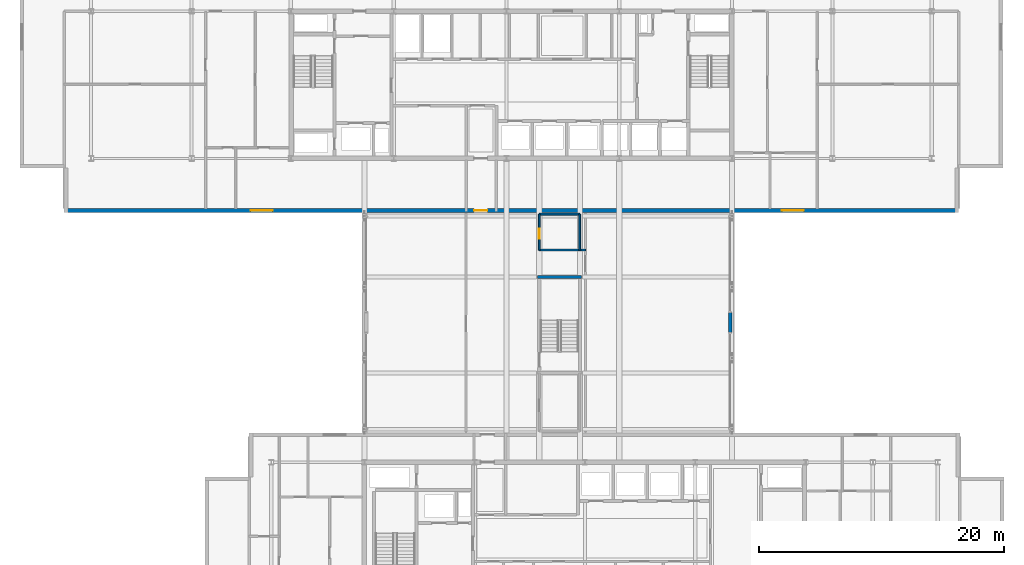
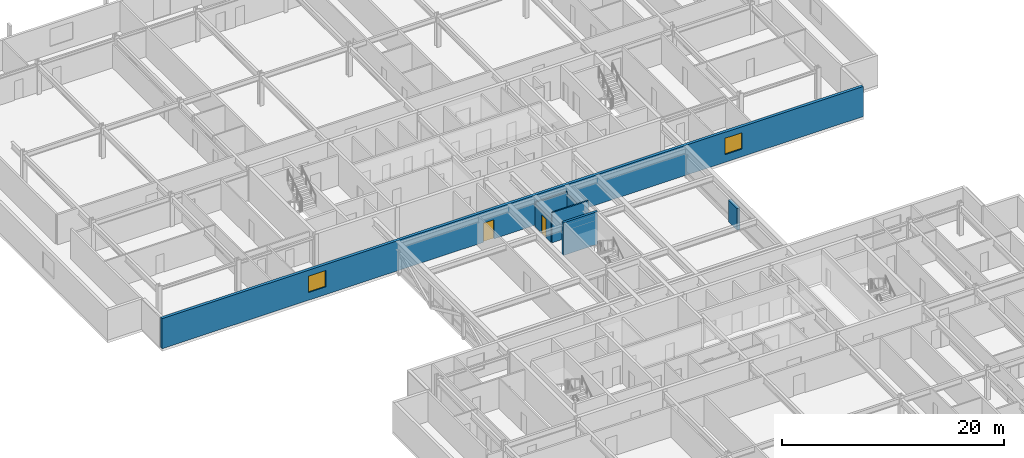
# One storey, part 21 of 35: 7 walls, 2 doors, 2 windows, 4 openings.
"""IFC4 building model written with IfcOpenShell, lengths in metres."""

from ifc_helpers import new_model, si_unit, direction, frame, frame_2d, origin, place, context, subcontext, project, spatial, rectangle, extrude, material, layer, layer_set, type_object, element, fill, save


model = new_model("IFC4")

# Units and contexts
model_context = context("Model", 3, precision=1e-05, world=origin(), true_north=direction((0.0, 1.0)))
body_context = subcontext(model_context, "Body", "Model", "MODEL_VIEW")
ifc_project = project(units=[si_unit("LENGTHUNIT", "METRE"), si_unit("AREAUNIT", "SQUARE_METRE"), si_unit("VOLUMEUNIT", "CUBIC_METRE"), si_unit("PLANEANGLEUNIT", "RADIAN"), si_unit("MASSUNIT", "GRAM", prefix="KILO")], contexts=[model_context])

# Site, building, storey
site_placement = place(None, origin())
site = spatial("IfcSite", under=ifc_project, at=site_placement, CompositionType="ELEMENT")
building_placement = place(site_placement, origin())
building = spatial("IfcBuilding", under=site, at=building_placement, Name="Korimba Cascade Residences", CompositionType="ELEMENT")
storey_placement = place(building_placement, frame((0.0, 0.0, 150.10009765625)))
storey = spatial("IfcBuildingStorey", under=building, at=storey_placement, Name="L43", CompositionType="ELEMENT", Elevation=150.10009765625)

# Wall, openings, door, windows
ifc_material_1 = material(Name="Precast concrete C40/50", Category="concrete")
ifc_layer_1 = layer(ifc_material_1, 0.300048828125)
ifc_layer_set_1 = layer_set([ifc_layer_1], Name="Precast concrete C40/50")
wall_type_1 = type_object("IfcWallType", Name="EW-STONE-300", PredefinedType="STANDARD", material=ifc_layer_set_1)
wall_1_placement = place(storey_placement, frame((57.60009765625, 50.949951171875, 0.0), z_axis=(0.0, 0.0, 1.0), x_axis=(1.0, 0.0, 0.0)))
wall_1 = element("IfcWall", 1, at=wall_1_placement, inside=storey, type_object=wall_type_1, Name="L43 T1 Perimeter Stone Wall E00", PredefinedType="STANDARD", context=body_context, shape_type="SweptSolid", body=[
    extrude(rectangle(XDim=73.0, YDim=0.300048828125, at=frame_2d((36.5, 0.0))), origin(), (0.0, 0.0, 1.0), 3.309814453125),
])
opening_1_placement = place(wall_1_placement, frame((15.22509765625, 0.0, 0.85009765625)))
opening_1 = element("IfcOpeningElement", 2, at=opening_1_placement, cuts=wall_1, Name="Opening W-02", PredefinedType="OPENING", context=body_context, shape_type="SweptSolid", body=[
    extrude(rectangle(XDim=1.800048828125, YDim=1.800048828125, at=frame_2d((0.89990234375, 0.89990234375))), frame((0.0, 0.16015625, 0.0), z_axis=(0.0, -1.0, 0.0), x_axis=(1.0, 0.0, 0.0)), (0.0, 0.0, 1.0), 0.320068359375),
])
opening_2_placement = place(wall_1_placement, frame((58.574951171875, 0.0, 0.85009765625)))
opening_2 = element("IfcOpeningElement", 3, at=opening_2_placement, cuts=wall_1, Name="Opening W-02", PredefinedType="OPENING", context=body_context, shape_type="SweptSolid", body=[
    extrude(rectangle(XDim=1.800048828125, YDim=1.800048828125, at=frame_2d((0.89990234375, 0.89990234375))), frame((0.0, 0.16015625, 0.0), z_axis=(0.0, -1.0, 0.0), x_axis=(1.0, 0.0, 0.0)), (0.0, 0.0, 1.0), 0.320068359375),
])
opening_3_placement = place(wall_1_placement, frame((33.449951171875, 0.0, 0.0)))
opening_3 = element("IfcOpeningElement", 4, at=opening_3_placement, cuts=wall_1, Name="Opening D-BF1", PredefinedType="OPENING", context=body_context, shape_type="SweptSolid", body=[
    extrude(rectangle(XDim=1.10009765625, YDim=2.10009765625, at=frame_2d((0.550048828125, 1.050048828125))), frame((0.0, 0.16015625, 0.0), z_axis=(0.0, -1.0, 0.0), x_axis=(1.0, 0.0, 0.0)), (0.0, 0.0, 1.0), 0.320068359375),
])
ifc_material_2 = material(Name="Fire-Rated Steel Skybridge Link Door", Category="steel")
door_type_1 = type_object("IfcDoorType", Name="DR-BRG-FD120", OperationType="NOTDEFINED", PredefinedType="DOOR", material=ifc_material_2)
door_1_placement = place(opening_3_placement, origin())
door_1 = element("IfcDoor", 5, at=door_1_placement, inside=storey, type_object=door_type_1, Name="L43 Skybridge to Tower 1 Fire Door", OperationType="SINGLE_SWING_LEFT", OverallHeight=2.10009765625, OverallWidth=1.10009765625, PredefinedType="DOOR", context=body_context, shape_type="SweptSolid", body=[
    extrude(rectangle(XDim=1.10009765625, YDim=2.10009765625, at=frame_2d((0.550048828125, 1.050048828125))), frame((0.0, 0.02490234375, 0.0), z_axis=(0.0, -1.0, 0.0), x_axis=(1.0, 0.0, 0.0)), (0.0, 0.0, 1.0), 0.050048828125),
])
fill(opening_3, door_1)
ifc_material_3 = material(Name="Double-Glazed Aluminium Window", Category="aluminium")
window_type = type_object("IfcWindowType", Name="WIN-BED-1800", PartitioningType="SINGLE_PANEL", PredefinedType="WINDOW", material=ifc_material_3)
window_1_placement = place(opening_1_placement, origin())
window_1 = element("IfcWindow", 6, at=window_1_placement, inside=storey, type_object=window_type, Name="L43 T1 South Corner Bedroom Window 1", OverallHeight=1.800048828125, OverallWidth=1.800048828125, PartitioningType="SINGLE_PANEL", PredefinedType="WINDOW", context=body_context, shape_type="SweptSolid", body=[
    extrude(rectangle(XDim=1.800048828125, YDim=1.800048828125, at=frame_2d((0.89990234375, 0.89990234375))), frame((0.0, 0.030029296875, 0.0), z_axis=(0.0, -1.0, 0.0), x_axis=(1.0, 0.0, 0.0)), (0.0, 0.0, 1.0), 0.06005859375),
])
fill(opening_1, window_1)
window_2_placement = place(opening_2_placement, origin())
window_2 = element("IfcWindow", 7, at=window_2_placement, inside=storey, type_object=window_type, Name="L43 T1 South Corner Bedroom Window 2", OverallHeight=1.800048828125, OverallWidth=1.800048828125, PartitioningType="SINGLE_PANEL", PredefinedType="WINDOW", context=body_context, shape_type="SweptSolid", body=[
    extrude(rectangle(XDim=1.800048828125, YDim=1.800048828125, at=frame_2d((0.89990234375, 0.89990234375))), frame((0.0, 0.030029296875, 0.0), z_axis=(0.0, -1.0, 0.0), x_axis=(1.0, 0.0, 0.0)), (0.0, 0.0, 1.0), 0.06005859375),
])
fill(opening_2, window_2)

# Walls
wall_2_placement = place(storey_placement, frame((111.949951171875, 41.0, 0.0), z_axis=(0.0, 0.0, 1.0), x_axis=(0.0, 1.0, 0.0)))
element("IfcWall", 8, at=wall_2_placement, inside=storey, type_object=wall_type_1, Name="L43 Skybridge East Pier", PredefinedType="STANDARD", context=body_context, shape_type="SweptSolid", body=[
    extrude(rectangle(XDim=1.60009765625, YDim=0.300048828125, at=frame_2d((0.800048828125, 0.0))), origin(), (0.0, 0.0, 1.0), 2.3798828125),
])
ifc_material_4 = material(Name="Insulated Acoustic Stud Partition", Category="gypsum")
ifc_layer_2 = layer(ifc_material_4, 0.14990234375)
ifc_layer_set_2 = layer_set([ifc_layer_2], Name="Insulated Acoustic Stud Partition")
wall_type_2 = type_object("IfcWallType", Name="WAL-PART-150", PredefinedType="PARTITIONING", material=ifc_layer_set_2)
wall_3_placement = place(storey_placement, frame((96.375, 50.64990234375, 0.0), z_axis=(0.0, 0.0, 1.0), x_axis=(1.0, 0.0, 0.0)))
element("IfcWall", 9, at=wall_3_placement, inside=storey, type_object=wall_type_2, Name="L43 Partition Wall WAL-L43-BRG-WCN2", PredefinedType="PARTITIONING", context=body_context, shape_type="SweptSolid", body=[
    extrude(rectangle(XDim=3.31005859375, YDim=0.14990234375, at=frame_2d((1.655029296875, 0.0))), origin(), (0.0, 0.0, 1.0), 2.689697265625),
])

# Wall, opening, door
wall_4_placement = place(storey_placement, frame((96.375, 47.719970703125, 0.0), z_axis=(0.0, 0.0, 1.0), x_axis=(0.0, 1.0, 0.0)))
wall_4 = element("IfcWall", 10, at=wall_4_placement, inside=storey, type_object=wall_type_2, Name="L43 Partition Wall WAL-L43-BRG-WCW2", PredefinedType="PARTITIONING", context=body_context, shape_type="SweptSolid", body=[
    extrude(rectangle(XDim=2.929931640625, YDim=0.14990234375, at=frame_2d((1.46484375, 0.0))), origin(), (0.0, 0.0, 1.0), 2.388916015625),
])
opening_4_placement = place(wall_4_placement, frame((0.89990234375, 0.0, 0.0)))
opening_4 = element("IfcOpeningElement", 11, at=opening_4_placement, cuts=wall_4, Name="Opening D-BT1", PredefinedType="OPENING", context=body_context, shape_type="SweptSolid", body=[
    extrude(rectangle(XDim=0.840087890625, YDim=2.0400390625, at=frame_2d((0.419921875, 1.02001953125))), frame((0.0, 0.0849609375, 0.0), z_axis=(0.0, -1.0, 0.0), x_axis=(1.0, 0.0, 0.0)), (0.0, 0.0, 1.0), 0.169921875),
])
ifc_material_5 = material(Name="Moisture-Resistant Bathroom Timber Door", Category="wood")
door_type_2 = type_object("IfcDoorType", Name="DR-INT-850", OperationType="NOTDEFINED", PredefinedType="DOOR", material=ifc_material_5)
door_2_placement = place(opening_4_placement, origin())
door_2 = element("IfcDoor", 12, at=door_2_placement, inside=storey, type_object=door_type_2, Name="L43 Skybridge WC Door", OperationType="SINGLE_SWING_LEFT", OverallHeight=2.0400390625, OverallWidth=0.840087890625, PredefinedType="DOOR", context=body_context, shape_type="SweptSolid", body=[
    extrude(rectangle(XDim=0.840087890625, YDim=2.0400390625, at=frame_2d((0.419921875, 1.02001953125))), frame((0.0, 0.02490234375, 0.0), z_axis=(0.0, -1.0, 0.0), x_axis=(1.0, 0.0, 0.0)), (0.0, 0.0, 1.0), 0.050048828125),
])
fill(opening_4, door_2)

# Walls
wall_5_placement = place(storey_placement, frame((96.375, 47.719970703125, 0.0), z_axis=(0.0, 0.0, 1.0), x_axis=(1.0, 0.0, 0.0)))
element("IfcWall", 13, at=wall_5_placement, inside=storey, type_object=wall_type_2, Name="L43 Partition Wall WAL-L43-BRG-WCSH", PredefinedType="PARTITIONING", context=body_context, shape_type="SweptSolid", body=[
    extrude(rectangle(XDim=3.77490234375, YDim=0.14990234375, at=frame_2d((1.887451171875, 0.0))), origin(), (0.0, 0.0, 1.0), 3.309814453125),
])
wall_6_placement = place(storey_placement, frame((99.68505859375, 47.719970703125, 0.0), z_axis=(0.0, 0.0, 1.0), x_axis=(0.0, 1.0, 0.0)))
element("IfcWall", 14, at=wall_6_placement, inside=storey, type_object=wall_type_2, Name="L43 Partition Wall WAL-L43-BRG-EE3", PredefinedType="PARTITIONING", context=body_context, shape_type="SweptSolid", body=[
    extrude(rectangle(XDim=2.929931640625, YDim=0.14990234375, at=frame_2d((1.46484375, 0.0))), origin(), (0.0, 0.0, 1.0), 2.388916015625),
])
ifc_material_6 = material(Name="Concrete C50/60", Category="concrete")
ifc_layer_3 = layer(ifc_material_6, 0.25)
ifc_layer_set_3 = layer_set([ifc_layer_3], Name="Concrete C50/60")
wall_type_3 = type_object("IfcWallType", Name="WAL-SHAFT-250", PredefinedType="SHEAR", material=ifc_layer_set_3)
wall_7_placement = place(storey_placement, frame((96.25, 45.52490234375, 0.0), z_axis=(0.0, 0.0, 1.0), x_axis=(1.0, 0.0, 0.0)))
element("IfcWall", 15, at=wall_7_placement, inside=storey, type_object=wall_type_3, Name="L43 Core Shear Wall CW-L43-STBR1N", PredefinedType="SHEAR", context=body_context, shape_type="SweptSolid", body=[
    extrude(rectangle(XDim=3.56005859375, YDim=0.25, at=frame_2d((1.780029296875, 0.0))), origin(), (0.0, 0.0, 1.0), 3.599853515625),
])

save(model, "model.ifc")
